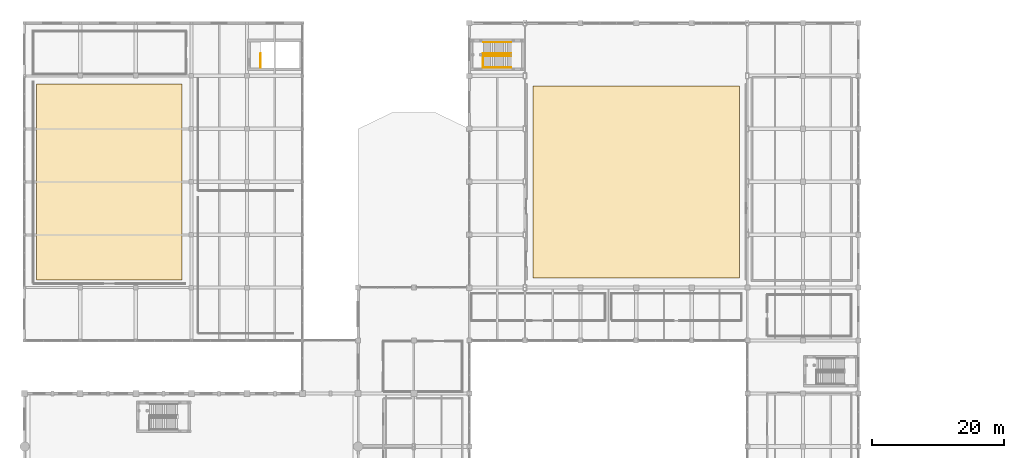
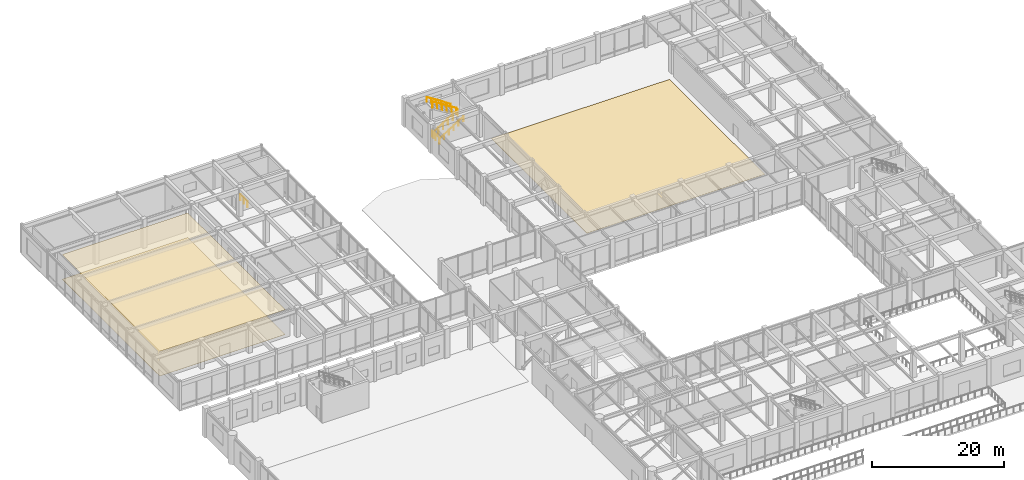
# One storey, part 76 of 79: 6 railings, 3 coverings.
"""IFC4 building model written with IfcOpenShell, lengths in metres."""

from ifc_helpers import new_model, si_unit, direction, frame, origin, origin_2d, place, context, subcontext, project, spatial, polyline, circle, outline, extrude, material, layer, layer_set, type_object, element, save


model = new_model("IFC4")

# Units and contexts
model_context = context("Model", 3, precision=1e-05, world=origin(), true_north=direction((0.0, 1.0)))
body_context = subcontext(model_context, "Body", "Model", "MODEL_VIEW")
ifc_project = project(units=[si_unit("LENGTHUNIT", "METRE"), si_unit("AREAUNIT", "SQUARE_METRE"), si_unit("VOLUMEUNIT", "CUBIC_METRE"), si_unit("PLANEANGLEUNIT", "RADIAN"), si_unit("MASSUNIT", "GRAM", prefix="KILO")], contexts=[model_context])

# Site, building, storey
site_placement = place(None, origin())
site = spatial("IfcSite", under=ifc_project, at=site_placement, CompositionType="ELEMENT")
building_placement = place(site_placement, origin())
building = spatial("IfcBuilding", under=site, at=building_placement, Name="Naruveol Harbour Congress Hotel", CompositionType="ELEMENT")
storey_placement = place(building_placement, frame((0.0, 0.0, 6.0)))
storey = spatial("IfcBuildingStorey", under=building, at=storey_placement, Name="L01", CompositionType="ELEMENT", Elevation=6.0)

# Coverings
ifc_material_1 = material(Name="Polished Terrazzo & Engineered Oak", Category="stone")
ifc_layer_1 = layer(ifc_material_1, 0.02490234375)
ifc_layer_set_1 = layer_set([ifc_layer_1], Name="Polished Terrazzo & Engineered Oak")
covering_type_1 = type_object("IfcCoveringType", Name="POLISHED TERRAZZO AND OAK FLOORING 25", PredefinedType="FLOORING", material=ifc_layer_set_1)
covering_1_placement = place(storey_placement, origin())
element("IfcCovering", 1, at=covering_1_placement, inside=storey, type_object=covering_type_1, Name="Grand Ballroom Suspended Acoustic Flooring", PredefinedType="FLOORING", context=body_context, shape_type="SweptSolid", body=[
    extrude(outline(polyline([(76.800048828125, 73.5), (108.0, 73.5), (108.0, 102.5), (76.800048828125, 102.5), (76.800048828125, 73.5)])), origin(), (0.0, 0.0, 1.0), 0.02490234375),
])
covering_2_placement = place(storey_placement, origin())
element("IfcCovering", 2, at=covering_2_placement, inside=storey, type_object=covering_type_1, Name="Indoor Pool Moisture-Resistant Slatted Flooring", PredefinedType="FLOORING", context=body_context, shape_type="SweptSolid", body=[
    extrude(outline(polyline([(1.800048828125, 73.199951171875), (23.800048828125, 73.199951171875), (23.800048828125, 102.800048828125), (1.800048828125, 102.800048828125), (1.800048828125, 73.199951171875)])), origin(), (0.0, 0.0, 1.0), 0.02490234375),
])

# Railings
ifc_material_2 = material(Name="Stainless Steel 304", Category="steel")
ifc_layer_2 = layer(ifc_material_2, 0.0419921875)
ifc_layer_set_2 = layer_set([ifc_layer_2], Name="Stainless Steel 304")
railing_type_1 = type_object("IfcRailingType", Name="STAIR WALL MOUNTED HANDRAIL 900", PredefinedType="HANDRAIL", material=ifc_layer_set_2)
railing_1_placement = place(storey_placement, frame((69.300048828125, 105.260009765625, 0.0)))
element("IfcRailing", 3, at=railing_1_placement, inside=storey, type_object=railing_type_1, Name="Stair ST8 L01 lower wall handrail", PredefinedType="HANDRAIL", context=body_context, shape_type="SweptSolid", body=[
    extrude(circle(Radius=0.02392578125, at=origin_2d()), frame((0.0, 0.0, 0.8759765625), z_axis=(0.841180064094, 0.0, 0.540755119968), x_axis=(0.0, 1.0, 0.0)), (0.0, 0.0, 1.0), 4.992919921875),
    extrude(circle(Radius=0.02099609375, at=origin_2d()), origin(), (0.0, 0.0, 1.0), 0.851806640625),
    extrude(circle(Radius=0.02099609375, at=origin_2d()), frame((0.840087890625, 0.0, 0.5400390625)), (0.0, 0.0, 1.0), 0.851806640625),
    extrude(circle(Radius=0.02099609375, at=origin_2d()), frame((1.679931640625, 0.0, 1.080078125)), (0.0, 0.0, 1.0), 0.851806640625),
    extrude(circle(Radius=0.02099609375, at=origin_2d()), frame((2.52001953125, 0.0, 1.619873046875)), (0.0, 0.0, 1.0), 0.851806640625),
    extrude(circle(Radius=0.02099609375, at=origin_2d()), frame((3.35986328125, 0.0, 2.159912109375)), (0.0, 0.0, 1.0), 0.851806640625),
    extrude(circle(Radius=0.02099609375, at=origin_2d()), frame((4.199951171875, 0.0, 2.699951171875)), (0.0, 0.0, 1.0), 0.851806640625),
])
railing_2_placement = place(storey_placement, frame((73.5, 109.10009765625, 2.699951171875)))
element("IfcRailing", 4, at=railing_2_placement, inside=storey, type_object=railing_type_1, Name="Stair ST8 L01 upper wall handrail", PredefinedType="HANDRAIL", context=body_context, shape_type="SweptSolid", body=[
    extrude(circle(Radius=0.02392578125, at=origin_2d()), frame((0.0, 0.0, 0.8759765625), z_axis=(-0.841180064094, 0.0, 0.540755119968), x_axis=(0.0, -1.0, 0.0)), (0.0, 0.0, 1.0), 4.992919921875),
    extrude(circle(Radius=0.02099609375, at=origin_2d()), origin(), (0.0, 0.0, 1.0), 0.851806640625),
    extrude(circle(Radius=0.02099609375, at=origin_2d()), frame((-0.840087890625, 0.0, 0.5400390625)), (0.0, 0.0, 1.0), 0.851806640625),
    extrude(circle(Radius=0.02099609375, at=origin_2d()), frame((-1.679931640625, 0.0, 1.080078125)), (0.0, 0.0, 1.0), 0.851806640625),
    extrude(circle(Radius=0.02099609375, at=origin_2d()), frame((-2.52001953125, 0.0, 1.619873046875)), (0.0, 0.0, 1.0), 0.851806640625),
    extrude(circle(Radius=0.02099609375, at=origin_2d()), frame((-3.35986328125, 0.0, 2.159912109375)), (0.0, 0.0, 1.0), 0.851806640625),
    extrude(circle(Radius=0.02099609375, at=origin_2d()), frame((-4.199951171875, 0.0, 2.699951171875)), (0.0, 0.0, 1.0), 0.851806640625),
])
ifc_material_3 = material(Name="Steel SN490", Category="steel")
ifc_layer_3 = layer(ifc_material_3, 0.044921875)
ifc_layer_set_3 = layer_set([ifc_layer_3], Name="Steel SN490")
railing_type_2 = type_object("IfcRailingType", Name="STAIRWELL STEEL GUARDRAIL 1150", PredefinedType="GUARDRAIL", material=ifc_layer_set_3)
railing_3_placement = place(storey_placement, frame((35.659912109375, 105.219970703125, 0.0)))
element("IfcRailing", 5, at=railing_3_placement, inside=storey, type_object=railing_type_2, Name="Stair ST7 L01 top-floor well guard", PredefinedType="GUARDRAIL", context=body_context, shape_type="SweptSolid", body=[
    extrude(circle(Radius=0.02392578125, at=origin_2d()), frame((0.0, 0.0, 1.1259765625), z_axis=(0.0, 1.0, 0.0), x_axis=(-1.0, 0.0, 0.0)), (0.0, 0.0, 1.0), 2.150146484375),
    extrude(circle(Radius=0.02099609375, at=origin_2d()), origin(), (0.0, 0.0, 1.0), 1.101806640625),
    extrude(circle(Radius=0.02099609375, at=origin_2d()), frame((0.0, 1.0751953125, 0.0)), (0.0, 0.0, 1.0), 1.101806640625),
    extrude(circle(Radius=0.02099609375, at=origin_2d()), frame((0.0, 2.150146484375, 0.0)), (0.0, 0.0, 1.0), 1.101806640625),
])
railing_4_placement = place(storey_placement, frame((69.300048828125, 106.989990234375, 0.0)))
element("IfcRailing", 6, at=railing_4_placement, inside=storey, type_object=railing_type_2, Name="Stair ST8 L01 lower well guard", PredefinedType="GUARDRAIL", context=body_context, shape_type="SweptSolid", body=[
    extrude(circle(Radius=0.02392578125, at=origin_2d()), frame((0.0, 0.0, 1.1259765625), z_axis=(0.841180064094, 0.0, 0.540755119968), x_axis=(0.0, 1.0, 0.0)), (0.0, 0.0, 1.0), 4.992919921875),
    extrude(circle(Radius=0.02099609375, at=origin_2d()), origin(), (0.0, 0.0, 1.0), 1.101806640625),
    extrude(circle(Radius=0.02099609375, at=origin_2d()), frame((0.840087890625, 0.0, 0.5400390625)), (0.0, 0.0, 1.0), 1.101806640625),
    extrude(circle(Radius=0.02099609375, at=origin_2d()), frame((1.679931640625, 0.0, 1.080078125)), (0.0, 0.0, 1.0), 1.101806640625),
    extrude(circle(Radius=0.02099609375, at=origin_2d()), frame((2.52001953125, 0.0, 1.619873046875)), (0.0, 0.0, 1.0), 1.101806640625),
    extrude(circle(Radius=0.02099609375, at=origin_2d()), frame((3.35986328125, 0.0, 2.159912109375)), (0.0, 0.0, 1.0), 1.101806640625),
    extrude(circle(Radius=0.02099609375, at=origin_2d()), frame((4.199951171875, 0.0, 2.699951171875)), (0.0, 0.0, 1.0), 1.101806640625),
])
railing_5_placement = place(storey_placement, frame((73.5, 107.3701171875, 2.699951171875)))
element("IfcRailing", 7, at=railing_5_placement, inside=storey, type_object=railing_type_2, Name="Stair ST8 L01 upper well guard", PredefinedType="GUARDRAIL", context=body_context, shape_type="SweptSolid", body=[
    extrude(circle(Radius=0.02392578125, at=origin_2d()), frame((0.0, 0.0, 1.1259765625), z_axis=(-0.841180064094, 0.0, 0.540755119968), x_axis=(0.0, -1.0, 0.0)), (0.0, 0.0, 1.0), 4.992919921875),
    extrude(circle(Radius=0.02099609375, at=origin_2d()), origin(), (0.0, 0.0, 1.0), 1.101806640625),
    extrude(circle(Radius=0.02099609375, at=origin_2d()), frame((-0.840087890625, 0.0, 0.5400390625)), (0.0, 0.0, 1.0), 1.101806640625),
    extrude(circle(Radius=0.02099609375, at=origin_2d()), frame((-1.679931640625, 0.0, 1.080078125)), (0.0, 0.0, 1.0), 1.101806640625),
    extrude(circle(Radius=0.02099609375, at=origin_2d()), frame((-2.52001953125, 0.0, 1.619873046875)), (0.0, 0.0, 1.0), 1.101806640625),
    extrude(circle(Radius=0.02099609375, at=origin_2d()), frame((-3.35986328125, 0.0, 2.159912109375)), (0.0, 0.0, 1.0), 1.101806640625),
    extrude(circle(Radius=0.02099609375, at=origin_2d()), frame((-4.199951171875, 0.0, 2.699951171875)), (0.0, 0.0, 1.0), 1.101806640625),
])
railing_6_placement = place(storey_placement, frame((69.260009765625, 105.219970703125, 0.0)))
element("IfcRailing", 8, at=railing_6_placement, inside=storey, type_object=railing_type_2, Name="Stair ST8 L01 landing well guard", PredefinedType="GUARDRAIL", context=body_context, shape_type="SweptSolid", body=[
    extrude(circle(Radius=0.02392578125, at=origin_2d()), frame((0.0, 0.0, 1.1259765625), z_axis=(0.0, 1.0, 0.0), x_axis=(-1.0, 0.0, 0.0)), (0.0, 0.0, 1.0), 2.150146484375),
    extrude(circle(Radius=0.02099609375, at=origin_2d()), origin(), (0.0, 0.0, 1.0), 1.101806640625),
    extrude(circle(Radius=0.02099609375, at=origin_2d()), frame((0.0, 1.0751953125, 0.0)), (0.0, 0.0, 1.0), 1.101806640625),
    extrude(circle(Radius=0.02099609375, at=origin_2d()), frame((0.0, 2.150146484375, 0.0)), (0.0, 0.0, 1.0), 1.101806640625),
])

# Covering
ifc_material_4 = material(Name="Acoustic Engineered Timber Slats", Category="wood")
ifc_layer_4 = layer(ifc_material_4, 0.034912109375)
ifc_layer_set_4 = layer_set([ifc_layer_4], Name="Acoustic Engineered Timber Slats")
covering_type_2 = type_object("IfcCoveringType", Name="SUSPENDED PERFORATED TIMBER ACOUSTIC CEILING 35", PredefinedType="CEILING", material=ifc_layer_set_4)
covering_3_placement = place(storey_placement, frame((0.0, 0.0, 4.56494140625)))
element("IfcCovering", 9, at=covering_3_placement, inside=storey, type_object=covering_type_2, Name="Indoor Pool Moisture-Resistant Slatted Ceiling", PredefinedType="CEILING", context=body_context, shape_type="SweptSolid", body=[
    extrude(outline(polyline([(1.800048828125, 73.199951171875), (23.800048828125, 73.199951171875), (23.800048828125, 102.800048828125), (1.800048828125, 102.800048828125), (1.800048828125, 73.199951171875)])), origin(), (0.0, 0.0, 1.0), 0.03515625),
])

save(model, "model.ifc")
